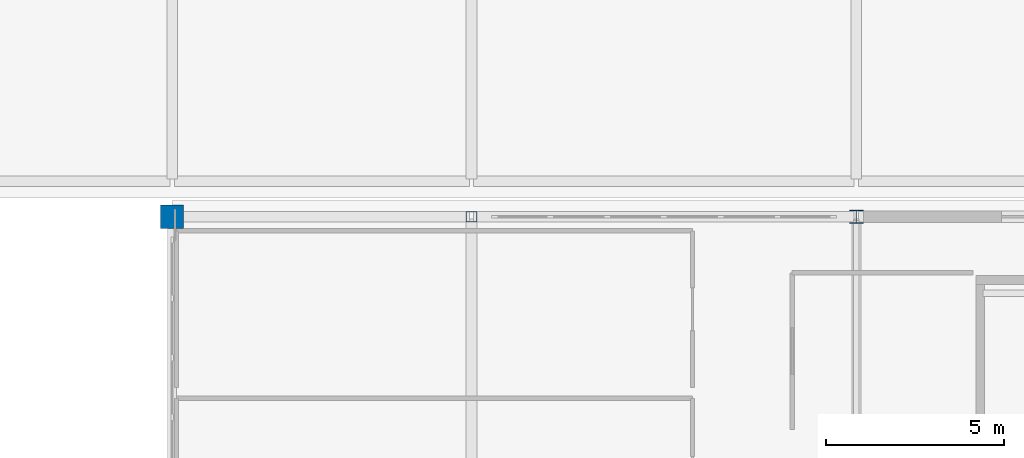
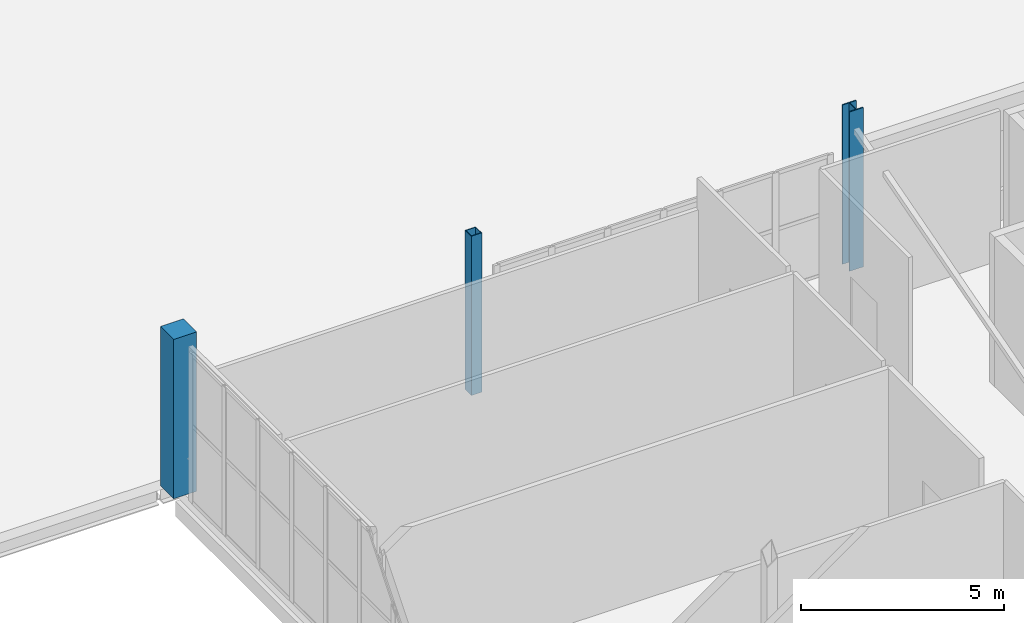
# One storey, part 9 of 104: 3 columns.
"""IFC4 building model written with IfcOpenShell, lengths in metres."""

from ifc_helpers import new_model, si_unit, direction, frame, origin, origin_2d, place, context, subcontext, project, spatial, rectangle, hollow_rectangle, i_section, extrude, material, material_profile, profile_set, type_object, element, save


model = new_model("IFC4")

# Units and contexts
model_context = context("Model", 3, precision=1e-05, world=origin(), true_north=direction((0.0, 1.0)))
body_context = subcontext(model_context, "Body", "Model", "MODEL_VIEW")
ifc_project = project(units=[si_unit("LENGTHUNIT", "METRE"), si_unit("AREAUNIT", "SQUARE_METRE"), si_unit("VOLUMEUNIT", "CUBIC_METRE"), si_unit("PLANEANGLEUNIT", "RADIAN"), si_unit("MASSUNIT", "GRAM", prefix="KILO")], contexts=[model_context])

# Site, building, storey
site_placement = place(None, origin())
site = spatial("IfcSite", under=ifc_project, at=site_placement, CompositionType="ELEMENT")
building_placement = place(site_placement, origin())
building = spatial("IfcBuilding", under=site, at=building_placement, Name="Koshinbarg Plaza Stadium", CompositionType="ELEMENT")
storey_placement = place(building_placement, frame((0.0, 0.0, 19.800048828125)))
storey = spatial("IfcBuildingStorey", under=building, at=storey_placement, Name="L04", CompositionType="ELEMENT", Elevation=19.800048828125)

# Columns
ifc_material_1 = material(Name="Concrete C40/50", Category="concrete")
ifc_material_profile_1 = material_profile(ifc_material_1, rectangle(XDim=0.64990234375, YDim=0.64990234375, at=origin_2d()), Name="RC 650x650")
ifc_profile_set_1 = profile_set([ifc_material_profile_1], Name="Concrete C40/50")
column_type_1 = type_object("IfcColumnType", Name="COL-RC-05", PredefinedType="COLUMN", material=ifc_profile_set_1)
column_1_placement = place(storey_placement, frame((189.39990234375, 126.5, 0.0), z_axis=(0.0, 0.0, 1.0), x_axis=(1.0, 0.0, 0.0)))
element("IfcColumn", 1, at=column_1_placement, inside=storey, type_object=column_type_1, Name="L04 column 18/R", PredefinedType="COLUMN", context=body_context, shape_type="SweptSolid", body=[
    extrude(rectangle(XDim=0.64990234375, YDim=0.64990234375, at=origin_2d()), origin(), (0.0, 0.0, 1.0), 4.800048828125),
])
ifc_material_2 = material(Name="Steel S355", Category="steel")
ifc_material_profile_2 = material_profile(ifc_material_2, i_section(OverallWidth=0.39501953125, OverallDepth=0.3798828125, WebThickness=0.018798828125, FlangeThickness=0.0302734375, at=origin_2d()), Name="HD 400x237")
ifc_profile_set_2 = profile_set([ifc_material_profile_2], Name="Steel S355")
column_type_2 = type_object("IfcColumnType", Name="COL-STL-01", PredefinedType="COLUMN", material=ifc_profile_set_2)
column_2_placement = place(storey_placement, frame((208.60009765625, 126.5, 0.0), z_axis=(0.0, 0.0, 1.0), x_axis=(1.0, 0.0, 0.0)))
element("IfcColumn", 2, at=column_2_placement, inside=storey, type_object=column_type_2, Name="L04 column 20/R", PredefinedType="COLUMN", context=body_context, shape_type="SweptSolid", body=[
    extrude(i_section(OverallWidth=0.39501953125, OverallDepth=0.3798828125, WebThickness=0.018798828125, FlangeThickness=0.0302734375, at=origin_2d()), origin(), (0.0, 0.0, 1.0), 4.800048828125),
])
ifc_material_profile_3 = material_profile(ifc_material_2, hollow_rectangle(XDim=0.300048828125, YDim=0.300048828125, WallThickness=0.01611328125, at=origin_2d()), Name="SHS 300x300x16")
ifc_profile_set_3 = profile_set([ifc_material_profile_3], Name="Steel S355")
column_type_3 = type_object("IfcColumnType", Name="COL-STL-06", PredefinedType="COLUMN", material=ifc_profile_set_3)
column_3_placement = place(storey_placement, frame((197.800048828125, 126.5, 0.0), z_axis=(0.0, 0.0, 1.0), x_axis=(1.0, 0.0, 0.0)))
element("IfcColumn", 3, at=column_3_placement, inside=storey, type_object=column_type_3, Name="L04 column 19/R", PredefinedType="COLUMN", context=body_context, shape_type="SweptSolid", body=[
    extrude(hollow_rectangle(XDim=0.300048828125, YDim=0.300048828125, WallThickness=0.01611328125, at=origin_2d()), origin(), (0.0, 0.0, 1.0), 4.800048828125),
])

save(model, "model.ifc")
